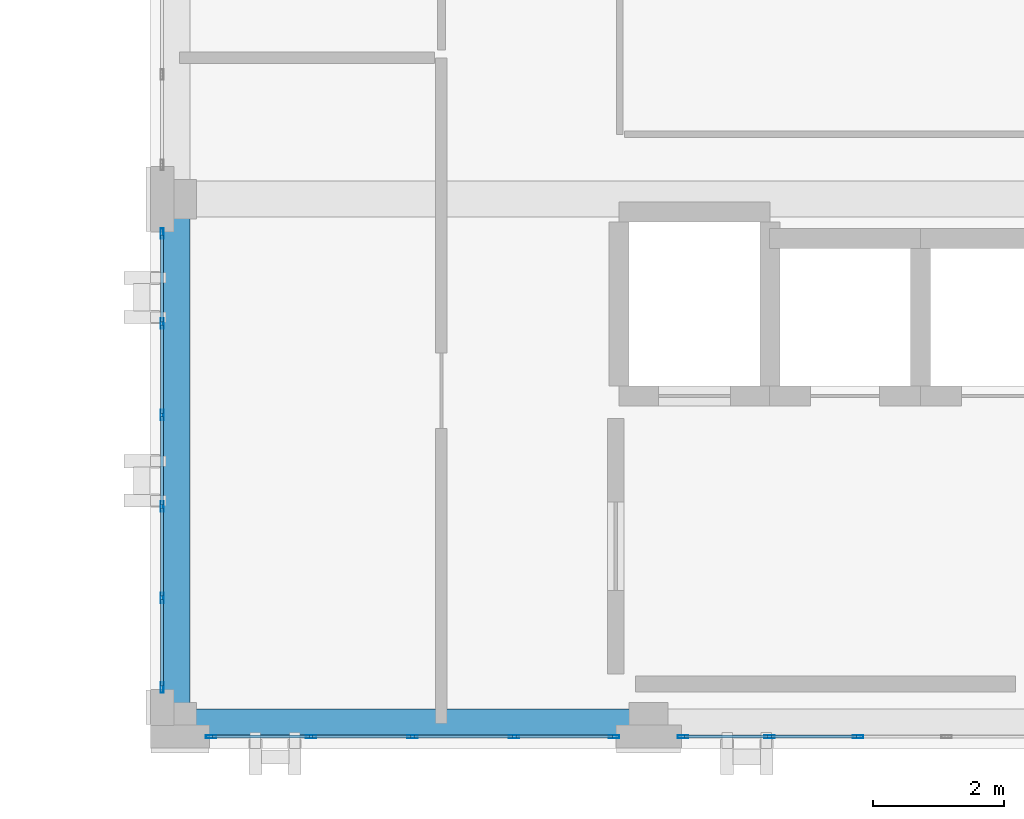
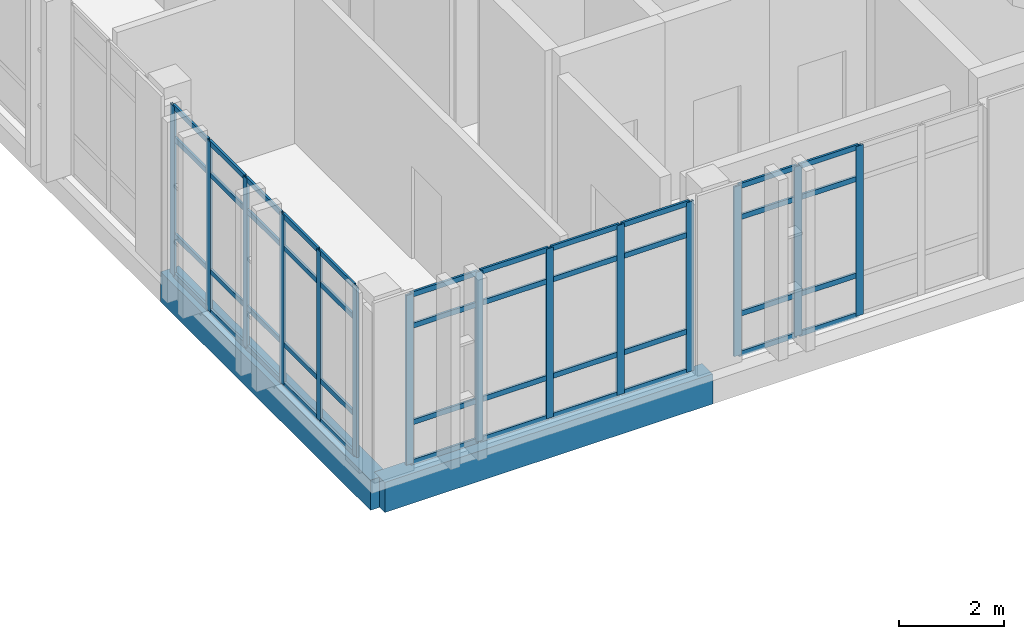
# One storey, part 20 of 48: 58 members, 2 beams, 3 elements without a shape of their own.
"""IFC4 building model written with IfcOpenShell, lengths in metres."""

from ifc_helpers import new_model, si_unit, direction, frame, origin, origin_2d, place, context, subcontext, project, spatial, rectangle, hollow_rectangle, extrude, material, layer, layer_set, material_profile, profile_set, type_object, element, aggregate, save


model = new_model("IFC4")

# Units and contexts
model_context = context("Model", 3, precision=1e-05, world=origin(), true_north=direction((0.0, 1.0)))
body_context = subcontext(model_context, "Body", "Model", "MODEL_VIEW")
ifc_project = project(units=[si_unit("LENGTHUNIT", "METRE"), si_unit("AREAUNIT", "SQUARE_METRE"), si_unit("VOLUMEUNIT", "CUBIC_METRE"), si_unit("PLANEANGLEUNIT", "RADIAN"), si_unit("MASSUNIT", "GRAM", prefix="KILO")], contexts=[model_context])

# Site, building, storey
site_placement = place(None, origin())
site = spatial("IfcSite", under=ifc_project, at=site_placement, CompositionType="ELEMENT")
building_placement = place(site_placement, origin())
building = spatial("IfcBuilding", under=site, at=building_placement, Name="Qalavern Law Courts", CompositionType="ELEMENT")
storey_placement = place(building_placement, frame((0.0, 0.0, 31.199951171875)))
storey = spatial("IfcBuildingStorey", under=building, at=storey_placement, Name="L07", CompositionType="ELEMENT", Elevation=31.199951171875)

# Curtain wall, members
ifc_material_1 = material(Name="Anodised aluminium and insulated glazing", Category="aluminium")
ifc_layer = layer(ifc_material_1, 0.159912109375)
ifc_layer_set = layer_set([ifc_layer], Name="Anodised aluminium and insulated glazing")
curtain_wall_type = type_object("IfcCurtainWallType", Name="ENV-CW-CHAMB", PredefinedType="USERDEFINED", material=ifc_layer_set)
curtain_wall_1_placement = place(storey_placement, origin())
curtain_wall_1 = element("IfcCurtainWall", 1, at=curtain_wall_1_placement, inside=storey, type_object=curtain_wall_type, Name="V4 unitised curtain wall L07 south 1", ObjectType="UNITISED CURTAIN WALL", PredefinedType="USERDEFINED")
ifc_material_2 = material(Name="Anodised aluminium", Category="aluminium")
ifc_material_profile_1 = material_profile(ifc_material_2, hollow_rectangle(XDim=0.048095703125, YDim=0.159912109375, WallThickness=0.00390625, at=origin_2d()), Name="ALU MULLION 48x160")
ifc_profile_set_1 = profile_set([ifc_material_profile_1], Name="Anodised aluminium")
member_type_1 = type_object("IfcMemberType", Name="ENV-CWM-48x160", PredefinedType="MULLION", material=ifc_profile_set_1)
member_1_placement = place(storey_placement, frame((85.1240234375, 41.197509765625, 0.0), z_axis=(0.0, 0.0, 1.0), x_axis=(0.0, 1.0, 0.0)))
member_1 = element("IfcMember", 2, at=member_1_placement, type_object=member_type_1, Name="CW-04 mullion 1", PredefinedType="MULLION", context=body_context, shape_type="SweptSolid", body=[
    extrude(hollow_rectangle(XDim=0.048095703125, YDim=0.159912109375, WallThickness=0.00390625, at=origin_2d()), origin(), (0.0, 0.0, 1.0), 3.93994140625),
])
member_2_placement = place(storey_placement, frame((86.64990234375, 41.197509765625, 0.0), z_axis=(0.0, 0.0, 1.0), x_axis=(0.0, 1.0, 0.0)))
member_2 = element("IfcMember", 3, at=member_2_placement, type_object=member_type_1, Name="CW-04 mullion 2", PredefinedType="MULLION", context=body_context, shape_type="SweptSolid", body=[
    extrude(hollow_rectangle(XDim=0.048095703125, YDim=0.159912109375, WallThickness=0.00390625, at=origin_2d()), origin(), (0.0, 0.0, 1.0), 3.93994140625),
])
member_3_placement = place(storey_placement, frame((88.199951171875, 41.197509765625, 0.0), z_axis=(0.0, 0.0, 1.0), x_axis=(0.0, 1.0, 0.0)))
member_3 = element("IfcMember", 4, at=member_3_placement, type_object=member_type_1, Name="CW-04 mullion 3", PredefinedType="MULLION", context=body_context, shape_type="SweptSolid", body=[
    extrude(hollow_rectangle(XDim=0.048095703125, YDim=0.159912109375, WallThickness=0.00390625, at=origin_2d()), origin(), (0.0, 0.0, 1.0), 3.93994140625),
])
member_4_placement = place(storey_placement, frame((89.75, 41.197509765625, 0.0), z_axis=(0.0, 0.0, 1.0), x_axis=(0.0, 1.0, 0.0)))
member_4 = element("IfcMember", 5, at=member_4_placement, type_object=member_type_1, Name="CW-04 mullion 4", PredefinedType="MULLION", context=body_context, shape_type="SweptSolid", body=[
    extrude(hollow_rectangle(XDim=0.048095703125, YDim=0.159912109375, WallThickness=0.00390625, at=origin_2d()), origin(), (0.0, 0.0, 1.0), 3.93994140625),
])
member_5_placement = place(storey_placement, frame((91.27587890625, 41.197509765625, 0.0), z_axis=(0.0, 0.0, 1.0), x_axis=(0.0, 1.0, 0.0)))
member_5 = element("IfcMember", 6, at=member_5_placement, type_object=member_type_1, Name="CW-04 mullion 5", PredefinedType="MULLION", context=body_context, shape_type="SweptSolid", body=[
    extrude(hollow_rectangle(XDim=0.048095703125, YDim=0.159912109375, WallThickness=0.00390625, at=origin_2d()), origin(), (0.0, 0.0, 1.0), 3.93994140625),
])

curtain_wall_2_placement = place(storey_placement, origin())
curtain_wall_2 = element("IfcCurtainWall", 7, at=curtain_wall_2_placement, inside=storey, type_object=curtain_wall_type, Name="V4 unitised curtain wall L07 south 2", ObjectType="UNITISED CURTAIN WALL", PredefinedType="USERDEFINED")
member_6_placement = place(storey_placement, frame((92.323974609375, 41.197509765625, 0.0), z_axis=(0.0, 0.0, 1.0), x_axis=(0.0, 1.0, 0.0)))
member_6 = element("IfcMember", 8, at=member_6_placement, type_object=member_type_1, Name="CW-04 mullion 1", PredefinedType="MULLION", context=body_context, shape_type="SweptSolid", body=[
    extrude(hollow_rectangle(XDim=0.048095703125, YDim=0.159912109375, WallThickness=0.00390625, at=origin_2d()), origin(), (0.0, 0.0, 1.0), 3.93994140625),
])
member_7_placement = place(storey_placement, frame((93.64990234375, 41.197509765625, 0.0), z_axis=(0.0, 0.0, 1.0), x_axis=(0.0, 1.0, 0.0)))
member_7 = element("IfcMember", 9, at=member_7_placement, type_object=member_type_1, Name="CW-04 mullion 2", PredefinedType="MULLION", context=body_context, shape_type="SweptSolid", body=[
    extrude(hollow_rectangle(XDim=0.048095703125, YDim=0.159912109375, WallThickness=0.00390625, at=origin_2d()), origin(), (0.0, 0.0, 1.0), 3.93994140625),
])
member_8_placement = place(storey_placement, frame((95.0, 41.197509765625, 0.0), z_axis=(0.0, 0.0, 1.0), x_axis=(0.0, 1.0, 0.0)))
member_8 = element("IfcMember", 10, at=member_8_placement, type_object=member_type_1, Name="CW-04 mullion 3", PredefinedType="MULLION", context=body_context, shape_type="SweptSolid", body=[
    extrude(hollow_rectangle(XDim=0.048095703125, YDim=0.159912109375, WallThickness=0.00390625, at=origin_2d()), origin(), (0.0, 0.0, 1.0), 3.93994140625),
])

curtain_wall_3_placement = place(storey_placement, origin())
curtain_wall_3 = element("IfcCurtainWall", 11, at=curtain_wall_3_placement, inside=storey, type_object=curtain_wall_type, Name="V4 unitised curtain wall L07 west 4", ObjectType="UNITISED CURTAIN WALL", PredefinedType="USERDEFINED")
member_9_placement = place(storey_placement, frame((84.37744140625, 48.8759765625, 0.0), z_axis=(0.0, 0.0, 1.0), x_axis=(1.0, 0.0, 0.0)))
member_9 = element("IfcMember", 12, at=member_9_placement, type_object=member_type_1, Name="CW-04 mullion 1", PredefinedType="MULLION", context=body_context, shape_type="SweptSolid", body=[
    extrude(hollow_rectangle(XDim=0.048095703125, YDim=0.159912109375, WallThickness=0.00390625, at=origin_2d()), origin(), (0.0, 0.0, 1.0), 3.93994140625),
])
member_10_placement = place(storey_placement, frame((84.37744140625, 47.50390625, 0.0), z_axis=(0.0, 0.0, 1.0), x_axis=(1.0, 0.0, 0.0)))
member_10 = element("IfcMember", 13, at=member_10_placement, type_object=member_type_1, Name="CW-04 mullion 2", PredefinedType="MULLION", context=body_context, shape_type="SweptSolid", body=[
    extrude(hollow_rectangle(XDim=0.048095703125, YDim=0.159912109375, WallThickness=0.00390625, at=origin_2d()), origin(), (0.0, 0.0, 1.0), 3.93994140625),
])
member_11_placement = place(storey_placement, frame((84.37744140625, 46.10791015625, 0.0), z_axis=(0.0, 0.0, 1.0), x_axis=(1.0, 0.0, 0.0)))
member_11 = element("IfcMember", 14, at=member_11_placement, type_object=member_type_1, Name="CW-04 mullion 3", PredefinedType="MULLION", context=body_context, shape_type="SweptSolid", body=[
    extrude(hollow_rectangle(XDim=0.048095703125, YDim=0.159912109375, WallThickness=0.00390625, at=origin_2d()), origin(), (0.0, 0.0, 1.0), 3.93994140625),
])
member_12_placement = place(storey_placement, frame((84.37744140625, 44.7119140625, 0.0), z_axis=(0.0, 0.0, 1.0), x_axis=(1.0, 0.0, 0.0)))
member_12 = element("IfcMember", 15, at=member_12_placement, type_object=member_type_1, Name="CW-04 mullion 4", PredefinedType="MULLION", context=body_context, shape_type="SweptSolid", body=[
    extrude(hollow_rectangle(XDim=0.048095703125, YDim=0.159912109375, WallThickness=0.00390625, at=origin_2d()), origin(), (0.0, 0.0, 1.0), 3.93994140625),
])
member_13_placement = place(storey_placement, frame((84.37744140625, 43.31591796875, 0.0), z_axis=(0.0, 0.0, 1.0), x_axis=(1.0, 0.0, 0.0)))
member_13 = element("IfcMember", 16, at=member_13_placement, type_object=member_type_1, Name="CW-04 mullion 5", PredefinedType="MULLION", context=body_context, shape_type="SweptSolid", body=[
    extrude(hollow_rectangle(XDim=0.048095703125, YDim=0.159912109375, WallThickness=0.00390625, at=origin_2d()), origin(), (0.0, 0.0, 1.0), 3.93994140625),
])
member_14_placement = place(storey_placement, frame((84.37744140625, 41.944091796875, 0.0), z_axis=(0.0, 0.0, 1.0), x_axis=(1.0, 0.0, 0.0)))
member_14 = element("IfcMember", 17, at=member_14_placement, type_object=member_type_1, Name="CW-04 mullion 6", PredefinedType="MULLION", context=body_context, shape_type="SweptSolid", body=[
    extrude(hollow_rectangle(XDim=0.048095703125, YDim=0.159912109375, WallThickness=0.00390625, at=origin_2d()), origin(), (0.0, 0.0, 1.0), 3.93994140625),
])

# Member
ifc_material_profile_2 = material_profile(ifc_material_2, hollow_rectangle(XDim=0.048095703125, YDim=0.1201171875, WallThickness=0.00390625, at=origin_2d()), Name="ALU TRANSOM 48x120")
ifc_profile_set_2 = profile_set([ifc_material_profile_2], Name="Anodised aluminium")
member_type_2 = type_object("IfcMemberType", Name="ENV-CWT-48x120", PredefinedType="USERDEFINED", material=ifc_profile_set_2)
member_15_placement = place(storey_placement, frame((85.14794921875, 41.197509765625, 0.024169921875), z_axis=(1.0, 0.0, 0.0), x_axis=(0.0, 1.0, 0.0)))
member_15 = element("IfcMember", 18, at=member_15_placement, type_object=member_type_2, Name="CW-04 transom 1.1", ObjectType="TRANSOM", PredefinedType="USERDEFINED", context=body_context, shape_type="SweptSolid", body=[
    extrude(hollow_rectangle(XDim=0.048095703125, YDim=0.1201171875, WallThickness=0.00390625, at=origin_2d()), origin(), (0.0, 0.0, 1.0), 1.47802734375),
])

member_16_placement = place(storey_placement, frame((85.14794921875, 41.197509765625, 0.949951171875), z_axis=(1.0, 0.0, 0.0), x_axis=(0.0, 1.0, 0.0)))
member_16 = element("IfcMember", 19, at=member_16_placement, type_object=member_type_2, Name="CW-04 transom 1.2", ObjectType="TRANSOM", PredefinedType="USERDEFINED", context=body_context, shape_type="SweptSolid", body=[
    extrude(hollow_rectangle(XDim=0.048095703125, YDim=0.1201171875, WallThickness=0.00390625, at=origin_2d()), origin(), (0.0, 0.0, 1.0), 1.47802734375),
])

member_17_placement = place(storey_placement, frame((85.14794921875, 41.197509765625, 3.18994140625), z_axis=(1.0, 0.0, 0.0), x_axis=(0.0, 1.0, 0.0)))
member_17 = element("IfcMember", 20, at=member_17_placement, type_object=member_type_2, Name="CW-04 transom 1.3", ObjectType="TRANSOM", PredefinedType="USERDEFINED", context=body_context, shape_type="SweptSolid", body=[
    extrude(hollow_rectangle(XDim=0.048095703125, YDim=0.1201171875, WallThickness=0.00390625, at=origin_2d()), origin(), (0.0, 0.0, 1.0), 1.47802734375),
])

member_18_placement = place(storey_placement, frame((85.14794921875, 41.197509765625, 3.916015625), z_axis=(1.0, 0.0, 0.0), x_axis=(0.0, 1.0, 0.0)))
member_18 = element("IfcMember", 21, at=member_18_placement, type_object=member_type_2, Name="CW-04 transom 1.4", ObjectType="TRANSOM", PredefinedType="USERDEFINED", context=body_context, shape_type="SweptSolid", body=[
    extrude(hollow_rectangle(XDim=0.048095703125, YDim=0.1201171875, WallThickness=0.00390625, at=origin_2d()), origin(), (0.0, 0.0, 1.0), 1.47802734375),
])

member_19_placement = place(storey_placement, frame((86.674072265625, 41.197509765625, 0.024169921875), z_axis=(1.0, 0.0, 0.0), x_axis=(0.0, 1.0, 0.0)))
member_19 = element("IfcMember", 22, at=member_19_placement, type_object=member_type_2, Name="CW-04 transom 2.1", ObjectType="TRANSOM", PredefinedType="USERDEFINED", context=body_context, shape_type="SweptSolid", body=[
    extrude(hollow_rectangle(XDim=0.048095703125, YDim=0.1201171875, WallThickness=0.00390625, at=origin_2d()), origin(), (0.0, 0.0, 1.0), 1.501953125),
])

member_20_placement = place(storey_placement, frame((86.674072265625, 41.197509765625, 0.949951171875), z_axis=(1.0, 0.0, 0.0), x_axis=(0.0, 1.0, 0.0)))
member_20 = element("IfcMember", 23, at=member_20_placement, type_object=member_type_2, Name="CW-04 transom 2.2", ObjectType="TRANSOM", PredefinedType="USERDEFINED", context=body_context, shape_type="SweptSolid", body=[
    extrude(hollow_rectangle(XDim=0.048095703125, YDim=0.1201171875, WallThickness=0.00390625, at=origin_2d()), origin(), (0.0, 0.0, 1.0), 1.501953125),
])

member_21_placement = place(storey_placement, frame((86.674072265625, 41.197509765625, 3.18994140625), z_axis=(1.0, 0.0, 0.0), x_axis=(0.0, 1.0, 0.0)))
member_21 = element("IfcMember", 24, at=member_21_placement, type_object=member_type_2, Name="CW-04 transom 2.3", ObjectType="TRANSOM", PredefinedType="USERDEFINED", context=body_context, shape_type="SweptSolid", body=[
    extrude(hollow_rectangle(XDim=0.048095703125, YDim=0.1201171875, WallThickness=0.00390625, at=origin_2d()), origin(), (0.0, 0.0, 1.0), 1.501953125),
])

member_22_placement = place(storey_placement, frame((86.674072265625, 41.197509765625, 3.916015625), z_axis=(1.0, 0.0, 0.0), x_axis=(0.0, 1.0, 0.0)))
member_22 = element("IfcMember", 25, at=member_22_placement, type_object=member_type_2, Name="CW-04 transom 2.4", ObjectType="TRANSOM", PredefinedType="USERDEFINED", context=body_context, shape_type="SweptSolid", body=[
    extrude(hollow_rectangle(XDim=0.048095703125, YDim=0.1201171875, WallThickness=0.00390625, at=origin_2d()), origin(), (0.0, 0.0, 1.0), 1.501953125),
])

member_23_placement = place(storey_placement, frame((88.22412109375, 41.197509765625, 0.024169921875), z_axis=(1.0, 0.0, 0.0), x_axis=(0.0, 1.0, 0.0)))
member_23 = element("IfcMember", 26, at=member_23_placement, type_object=member_type_2, Name="CW-04 transom 3.1", ObjectType="TRANSOM", PredefinedType="USERDEFINED", context=body_context, shape_type="SweptSolid", body=[
    extrude(hollow_rectangle(XDim=0.048095703125, YDim=0.1201171875, WallThickness=0.00390625, at=origin_2d()), origin(), (0.0, 0.0, 1.0), 1.501953125),
])

member_24_placement = place(storey_placement, frame((88.22412109375, 41.197509765625, 0.949951171875), z_axis=(1.0, 0.0, 0.0), x_axis=(0.0, 1.0, 0.0)))
member_24 = element("IfcMember", 27, at=member_24_placement, type_object=member_type_2, Name="CW-04 transom 3.2", ObjectType="TRANSOM", PredefinedType="USERDEFINED", context=body_context, shape_type="SweptSolid", body=[
    extrude(hollow_rectangle(XDim=0.048095703125, YDim=0.1201171875, WallThickness=0.00390625, at=origin_2d()), origin(), (0.0, 0.0, 1.0), 1.501953125),
])

member_25_placement = place(storey_placement, frame((88.22412109375, 41.197509765625, 3.18994140625), z_axis=(1.0, 0.0, 0.0), x_axis=(0.0, 1.0, 0.0)))
member_25 = element("IfcMember", 28, at=member_25_placement, type_object=member_type_2, Name="CW-04 transom 3.3", ObjectType="TRANSOM", PredefinedType="USERDEFINED", context=body_context, shape_type="SweptSolid", body=[
    extrude(hollow_rectangle(XDim=0.048095703125, YDim=0.1201171875, WallThickness=0.00390625, at=origin_2d()), origin(), (0.0, 0.0, 1.0), 1.501953125),
])

member_26_placement = place(storey_placement, frame((88.22412109375, 41.197509765625, 3.916015625), z_axis=(1.0, 0.0, 0.0), x_axis=(0.0, 1.0, 0.0)))
member_26 = element("IfcMember", 29, at=member_26_placement, type_object=member_type_2, Name="CW-04 transom 3.4", ObjectType="TRANSOM", PredefinedType="USERDEFINED", context=body_context, shape_type="SweptSolid", body=[
    extrude(hollow_rectangle(XDim=0.048095703125, YDim=0.1201171875, WallThickness=0.00390625, at=origin_2d()), origin(), (0.0, 0.0, 1.0), 1.501953125),
])

member_27_placement = place(storey_placement, frame((89.77392578125, 41.197509765625, 0.024169921875), z_axis=(1.0, 0.0, 0.0), x_axis=(0.0, 1.0, 0.0)))
member_27 = element("IfcMember", 30, at=member_27_placement, type_object=member_type_2, Name="CW-04 transom 4.1", ObjectType="TRANSOM", PredefinedType="USERDEFINED", context=body_context, shape_type="SweptSolid", body=[
    extrude(hollow_rectangle(XDim=0.048095703125, YDim=0.1201171875, WallThickness=0.00390625, at=origin_2d()), origin(), (0.0, 0.0, 1.0), 1.47802734375),
])

member_28_placement = place(storey_placement, frame((89.77392578125, 41.197509765625, 0.949951171875), z_axis=(1.0, 0.0, 0.0), x_axis=(0.0, 1.0, 0.0)))
member_28 = element("IfcMember", 31, at=member_28_placement, type_object=member_type_2, Name="CW-04 transom 4.2", ObjectType="TRANSOM", PredefinedType="USERDEFINED", context=body_context, shape_type="SweptSolid", body=[
    extrude(hollow_rectangle(XDim=0.048095703125, YDim=0.1201171875, WallThickness=0.00390625, at=origin_2d()), origin(), (0.0, 0.0, 1.0), 1.47802734375),
])

member_29_placement = place(storey_placement, frame((89.77392578125, 41.197509765625, 3.18994140625), z_axis=(1.0, 0.0, 0.0), x_axis=(0.0, 1.0, 0.0)))
member_29 = element("IfcMember", 32, at=member_29_placement, type_object=member_type_2, Name="CW-04 transom 4.3", ObjectType="TRANSOM", PredefinedType="USERDEFINED", context=body_context, shape_type="SweptSolid", body=[
    extrude(hollow_rectangle(XDim=0.048095703125, YDim=0.1201171875, WallThickness=0.00390625, at=origin_2d()), origin(), (0.0, 0.0, 1.0), 1.47802734375),
])

member_30_placement = place(storey_placement, frame((89.77392578125, 41.197509765625, 3.916015625), z_axis=(1.0, 0.0, 0.0), x_axis=(0.0, 1.0, 0.0)))
member_30 = element("IfcMember", 33, at=member_30_placement, type_object=member_type_2, Name="CW-04 transom 4.4", ObjectType="TRANSOM", PredefinedType="USERDEFINED", context=body_context, shape_type="SweptSolid", body=[
    extrude(hollow_rectangle(XDim=0.048095703125, YDim=0.1201171875, WallThickness=0.00390625, at=origin_2d()), origin(), (0.0, 0.0, 1.0), 1.47802734375),
])

aggregate(curtain_wall_1, [member_1, member_2, member_3, member_4, member_5, member_15, member_16, member_17, member_18, member_19, member_20, member_21, member_22, member_23, member_24, member_25, member_26, member_27, member_28, member_29, member_30])

member_31_placement = place(storey_placement, frame((92.347900390625, 41.197509765625, 0.024169921875), z_axis=(1.0, 0.0, 0.0), x_axis=(0.0, 1.0, 0.0)))
member_31 = element("IfcMember", 34, at=member_31_placement, type_object=member_type_2, Name="CW-04 transom 1.1", ObjectType="TRANSOM", PredefinedType="USERDEFINED", context=body_context, shape_type="SweptSolid", body=[
    extrude(hollow_rectangle(XDim=0.048095703125, YDim=0.1201171875, WallThickness=0.00390625, at=origin_2d()), origin(), (0.0, 0.0, 1.0), 1.278076171875),
])

member_32_placement = place(storey_placement, frame((92.347900390625, 41.197509765625, 0.949951171875), z_axis=(1.0, 0.0, 0.0), x_axis=(0.0, 1.0, 0.0)))
member_32 = element("IfcMember", 35, at=member_32_placement, type_object=member_type_2, Name="CW-04 transom 1.2", ObjectType="TRANSOM", PredefinedType="USERDEFINED", context=body_context, shape_type="SweptSolid", body=[
    extrude(hollow_rectangle(XDim=0.048095703125, YDim=0.1201171875, WallThickness=0.00390625, at=origin_2d()), origin(), (0.0, 0.0, 1.0), 1.278076171875),
])

member_33_placement = place(storey_placement, frame((92.347900390625, 41.197509765625, 3.18994140625), z_axis=(1.0, 0.0, 0.0), x_axis=(0.0, 1.0, 0.0)))
member_33 = element("IfcMember", 36, at=member_33_placement, type_object=member_type_2, Name="CW-04 transom 1.3", ObjectType="TRANSOM", PredefinedType="USERDEFINED", context=body_context, shape_type="SweptSolid", body=[
    extrude(hollow_rectangle(XDim=0.048095703125, YDim=0.1201171875, WallThickness=0.00390625, at=origin_2d()), origin(), (0.0, 0.0, 1.0), 1.278076171875),
])

member_34_placement = place(storey_placement, frame((92.347900390625, 41.197509765625, 3.916015625), z_axis=(1.0, 0.0, 0.0), x_axis=(0.0, 1.0, 0.0)))
member_34 = element("IfcMember", 37, at=member_34_placement, type_object=member_type_2, Name="CW-04 transom 1.4", ObjectType="TRANSOM", PredefinedType="USERDEFINED", context=body_context, shape_type="SweptSolid", body=[
    extrude(hollow_rectangle(XDim=0.048095703125, YDim=0.1201171875, WallThickness=0.00390625, at=origin_2d()), origin(), (0.0, 0.0, 1.0), 1.278076171875),
])

member_35_placement = place(storey_placement, frame((93.674072265625, 41.197509765625, 0.024169921875), z_axis=(1.0, 0.0, 0.0), x_axis=(0.0, 1.0, 0.0)))
member_35 = element("IfcMember", 38, at=member_35_placement, type_object=member_type_2, Name="CW-04 transom 2.1", ObjectType="TRANSOM", PredefinedType="USERDEFINED", context=body_context, shape_type="SweptSolid", body=[
    extrude(hollow_rectangle(XDim=0.048095703125, YDim=0.1201171875, WallThickness=0.00390625, at=origin_2d()), origin(), (0.0, 0.0, 1.0), 1.302001953125),
])

member_36_placement = place(storey_placement, frame((93.674072265625, 41.197509765625, 0.949951171875), z_axis=(1.0, 0.0, 0.0), x_axis=(0.0, 1.0, 0.0)))
member_36 = element("IfcMember", 39, at=member_36_placement, type_object=member_type_2, Name="CW-04 transom 2.2", ObjectType="TRANSOM", PredefinedType="USERDEFINED", context=body_context, shape_type="SweptSolid", body=[
    extrude(hollow_rectangle(XDim=0.048095703125, YDim=0.1201171875, WallThickness=0.00390625, at=origin_2d()), origin(), (0.0, 0.0, 1.0), 1.302001953125),
])

member_37_placement = place(storey_placement, frame((93.674072265625, 41.197509765625, 3.18994140625), z_axis=(1.0, 0.0, 0.0), x_axis=(0.0, 1.0, 0.0)))
member_37 = element("IfcMember", 40, at=member_37_placement, type_object=member_type_2, Name="CW-04 transom 2.3", ObjectType="TRANSOM", PredefinedType="USERDEFINED", context=body_context, shape_type="SweptSolid", body=[
    extrude(hollow_rectangle(XDim=0.048095703125, YDim=0.1201171875, WallThickness=0.00390625, at=origin_2d()), origin(), (0.0, 0.0, 1.0), 1.302001953125),
])

member_38_placement = place(storey_placement, frame((93.674072265625, 41.197509765625, 3.916015625), z_axis=(1.0, 0.0, 0.0), x_axis=(0.0, 1.0, 0.0)))
member_38 = element("IfcMember", 41, at=member_38_placement, type_object=member_type_2, Name="CW-04 transom 2.4", ObjectType="TRANSOM", PredefinedType="USERDEFINED", context=body_context, shape_type="SweptSolid", body=[
    extrude(hollow_rectangle(XDim=0.048095703125, YDim=0.1201171875, WallThickness=0.00390625, at=origin_2d()), origin(), (0.0, 0.0, 1.0), 1.302001953125),
])

aggregate(curtain_wall_2, [member_6, member_7, member_8, member_31, member_32, member_33, member_34, member_35, member_36, member_37, member_38])

member_39_placement = place(storey_placement, frame((84.37744140625, 48.85205078125, 0.024169921875), z_axis=(0.0, -1.0, 0.0), x_axis=(1.0, 0.0, 0.0)))
member_39 = element("IfcMember", 42, at=member_39_placement, type_object=member_type_2, Name="CW-04 transom 1.1", ObjectType="TRANSOM", PredefinedType="USERDEFINED", context=body_context, shape_type="SweptSolid", body=[
    extrude(hollow_rectangle(XDim=0.048095703125, YDim=0.1201171875, WallThickness=0.00390625, at=origin_2d()), origin(), (0.0, 0.0, 1.0), 1.323974609375),
])

member_40_placement = place(storey_placement, frame((84.37744140625, 48.85205078125, 0.949951171875), z_axis=(0.0, -1.0, 0.0), x_axis=(1.0, 0.0, 0.0)))
member_40 = element("IfcMember", 43, at=member_40_placement, type_object=member_type_2, Name="CW-04 transom 1.2", ObjectType="TRANSOM", PredefinedType="USERDEFINED", context=body_context, shape_type="SweptSolid", body=[
    extrude(hollow_rectangle(XDim=0.048095703125, YDim=0.1201171875, WallThickness=0.00390625, at=origin_2d()), origin(), (0.0, 0.0, 1.0), 1.323974609375),
])

member_41_placement = place(storey_placement, frame((84.37744140625, 48.85205078125, 3.18994140625), z_axis=(0.0, -1.0, 0.0), x_axis=(1.0, 0.0, 0.0)))
member_41 = element("IfcMember", 44, at=member_41_placement, type_object=member_type_2, Name="CW-04 transom 1.3", ObjectType="TRANSOM", PredefinedType="USERDEFINED", context=body_context, shape_type="SweptSolid", body=[
    extrude(hollow_rectangle(XDim=0.048095703125, YDim=0.1201171875, WallThickness=0.00390625, at=origin_2d()), origin(), (0.0, 0.0, 1.0), 1.323974609375),
])

member_42_placement = place(storey_placement, frame((84.37744140625, 48.85205078125, 3.916015625), z_axis=(0.0, -1.0, 0.0), x_axis=(1.0, 0.0, 0.0)))
member_42 = element("IfcMember", 45, at=member_42_placement, type_object=member_type_2, Name="CW-04 transom 1.4", ObjectType="TRANSOM", PredefinedType="USERDEFINED", context=body_context, shape_type="SweptSolid", body=[
    extrude(hollow_rectangle(XDim=0.048095703125, YDim=0.1201171875, WallThickness=0.00390625, at=origin_2d()), origin(), (0.0, 0.0, 1.0), 1.323974609375),
])

member_43_placement = place(storey_placement, frame((84.37744140625, 47.47998046875, 0.024169921875), z_axis=(0.0, -1.0, 0.0), x_axis=(1.0, 0.0, 0.0)))
member_43 = element("IfcMember", 46, at=member_43_placement, type_object=member_type_2, Name="CW-04 transom 2.1", ObjectType="TRANSOM", PredefinedType="USERDEFINED", context=body_context, shape_type="SweptSolid", body=[
    extrude(hollow_rectangle(XDim=0.048095703125, YDim=0.1201171875, WallThickness=0.00390625, at=origin_2d()), origin(), (0.0, 0.0, 1.0), 1.347900390625),
])

member_44_placement = place(storey_placement, frame((84.37744140625, 47.47998046875, 0.949951171875), z_axis=(0.0, -1.0, 0.0), x_axis=(1.0, 0.0, 0.0)))
member_44 = element("IfcMember", 47, at=member_44_placement, type_object=member_type_2, Name="CW-04 transom 2.2", ObjectType="TRANSOM", PredefinedType="USERDEFINED", context=body_context, shape_type="SweptSolid", body=[
    extrude(hollow_rectangle(XDim=0.048095703125, YDim=0.1201171875, WallThickness=0.00390625, at=origin_2d()), origin(), (0.0, 0.0, 1.0), 1.347900390625),
])

member_45_placement = place(storey_placement, frame((84.37744140625, 47.47998046875, 3.18994140625), z_axis=(0.0, -1.0, 0.0), x_axis=(1.0, 0.0, 0.0)))
member_45 = element("IfcMember", 48, at=member_45_placement, type_object=member_type_2, Name="CW-04 transom 2.3", ObjectType="TRANSOM", PredefinedType="USERDEFINED", context=body_context, shape_type="SweptSolid", body=[
    extrude(hollow_rectangle(XDim=0.048095703125, YDim=0.1201171875, WallThickness=0.00390625, at=origin_2d()), origin(), (0.0, 0.0, 1.0), 1.347900390625),
])

member_46_placement = place(storey_placement, frame((84.37744140625, 47.47998046875, 3.916015625), z_axis=(0.0, -1.0, 0.0), x_axis=(1.0, 0.0, 0.0)))
member_46 = element("IfcMember", 49, at=member_46_placement, type_object=member_type_2, Name="CW-04 transom 2.4", ObjectType="TRANSOM", PredefinedType="USERDEFINED", context=body_context, shape_type="SweptSolid", body=[
    extrude(hollow_rectangle(XDim=0.048095703125, YDim=0.1201171875, WallThickness=0.00390625, at=origin_2d()), origin(), (0.0, 0.0, 1.0), 1.347900390625),
])

member_47_placement = place(storey_placement, frame((84.37744140625, 46.083984375, 0.024169921875), z_axis=(0.0, -1.0, 0.0), x_axis=(1.0, 0.0, 0.0)))
member_47 = element("IfcMember", 50, at=member_47_placement, type_object=member_type_2, Name="CW-04 transom 3.1", ObjectType="TRANSOM", PredefinedType="USERDEFINED", context=body_context, shape_type="SweptSolid", body=[
    extrude(hollow_rectangle(XDim=0.048095703125, YDim=0.1201171875, WallThickness=0.00390625, at=origin_2d()), origin(), (0.0, 0.0, 1.0), 1.347900390625),
])

member_48_placement = place(storey_placement, frame((84.37744140625, 46.083984375, 0.949951171875), z_axis=(0.0, -1.0, 0.0), x_axis=(1.0, 0.0, 0.0)))
member_48 = element("IfcMember", 51, at=member_48_placement, type_object=member_type_2, Name="CW-04 transom 3.2", ObjectType="TRANSOM", PredefinedType="USERDEFINED", context=body_context, shape_type="SweptSolid", body=[
    extrude(hollow_rectangle(XDim=0.048095703125, YDim=0.1201171875, WallThickness=0.00390625, at=origin_2d()), origin(), (0.0, 0.0, 1.0), 1.347900390625),
])

member_49_placement = place(storey_placement, frame((84.37744140625, 46.083984375, 3.18994140625), z_axis=(0.0, -1.0, 0.0), x_axis=(1.0, 0.0, 0.0)))
member_49 = element("IfcMember", 52, at=member_49_placement, type_object=member_type_2, Name="CW-04 transom 3.3", ObjectType="TRANSOM", PredefinedType="USERDEFINED", context=body_context, shape_type="SweptSolid", body=[
    extrude(hollow_rectangle(XDim=0.048095703125, YDim=0.1201171875, WallThickness=0.00390625, at=origin_2d()), origin(), (0.0, 0.0, 1.0), 1.347900390625),
])

member_50_placement = place(storey_placement, frame((84.37744140625, 46.083984375, 3.916015625), z_axis=(0.0, -1.0, 0.0), x_axis=(1.0, 0.0, 0.0)))
member_50 = element("IfcMember", 53, at=member_50_placement, type_object=member_type_2, Name="CW-04 transom 3.4", ObjectType="TRANSOM", PredefinedType="USERDEFINED", context=body_context, shape_type="SweptSolid", body=[
    extrude(hollow_rectangle(XDim=0.048095703125, YDim=0.1201171875, WallThickness=0.00390625, at=origin_2d()), origin(), (0.0, 0.0, 1.0), 1.347900390625),
])

member_51_placement = place(storey_placement, frame((84.37744140625, 44.68798828125, 0.024169921875), z_axis=(0.0, -1.0, 0.0), x_axis=(1.0, 0.0, 0.0)))
member_51 = element("IfcMember", 54, at=member_51_placement, type_object=member_type_2, Name="CW-04 transom 4.1", ObjectType="TRANSOM", PredefinedType="USERDEFINED", context=body_context, shape_type="SweptSolid", body=[
    extrude(hollow_rectangle(XDim=0.048095703125, YDim=0.1201171875, WallThickness=0.00390625, at=origin_2d()), origin(), (0.0, 0.0, 1.0), 1.347900390625),
])

member_52_placement = place(storey_placement, frame((84.37744140625, 44.68798828125, 0.949951171875), z_axis=(0.0, -1.0, 0.0), x_axis=(1.0, 0.0, 0.0)))
member_52 = element("IfcMember", 55, at=member_52_placement, type_object=member_type_2, Name="CW-04 transom 4.2", ObjectType="TRANSOM", PredefinedType="USERDEFINED", context=body_context, shape_type="SweptSolid", body=[
    extrude(hollow_rectangle(XDim=0.048095703125, YDim=0.1201171875, WallThickness=0.00390625, at=origin_2d()), origin(), (0.0, 0.0, 1.0), 1.347900390625),
])

member_53_placement = place(storey_placement, frame((84.37744140625, 44.68798828125, 3.18994140625), z_axis=(0.0, -1.0, 0.0), x_axis=(1.0, 0.0, 0.0)))
member_53 = element("IfcMember", 56, at=member_53_placement, type_object=member_type_2, Name="CW-04 transom 4.3", ObjectType="TRANSOM", PredefinedType="USERDEFINED", context=body_context, shape_type="SweptSolid", body=[
    extrude(hollow_rectangle(XDim=0.048095703125, YDim=0.1201171875, WallThickness=0.00390625, at=origin_2d()), origin(), (0.0, 0.0, 1.0), 1.347900390625),
])

member_54_placement = place(storey_placement, frame((84.37744140625, 44.68798828125, 3.916015625), z_axis=(0.0, -1.0, 0.0), x_axis=(1.0, 0.0, 0.0)))
member_54 = element("IfcMember", 57, at=member_54_placement, type_object=member_type_2, Name="CW-04 transom 4.4", ObjectType="TRANSOM", PredefinedType="USERDEFINED", context=body_context, shape_type="SweptSolid", body=[
    extrude(hollow_rectangle(XDim=0.048095703125, YDim=0.1201171875, WallThickness=0.00390625, at=origin_2d()), origin(), (0.0, 0.0, 1.0), 1.347900390625),
])

member_55_placement = place(storey_placement, frame((84.37744140625, 43.2919921875, 0.024169921875), z_axis=(0.0, -1.0, 0.0), x_axis=(1.0, 0.0, 0.0)))
member_55 = element("IfcMember", 58, at=member_55_placement, type_object=member_type_2, Name="CW-04 transom 5.1", ObjectType="TRANSOM", PredefinedType="USERDEFINED", context=body_context, shape_type="SweptSolid", body=[
    extrude(hollow_rectangle(XDim=0.048095703125, YDim=0.1201171875, WallThickness=0.00390625, at=origin_2d()), origin(), (0.0, 0.0, 1.0), 1.323974609375),
])

member_56_placement = place(storey_placement, frame((84.37744140625, 43.2919921875, 0.949951171875), z_axis=(0.0, -1.0, 0.0), x_axis=(1.0, 0.0, 0.0)))
member_56 = element("IfcMember", 59, at=member_56_placement, type_object=member_type_2, Name="CW-04 transom 5.2", ObjectType="TRANSOM", PredefinedType="USERDEFINED", context=body_context, shape_type="SweptSolid", body=[
    extrude(hollow_rectangle(XDim=0.048095703125, YDim=0.1201171875, WallThickness=0.00390625, at=origin_2d()), origin(), (0.0, 0.0, 1.0), 1.323974609375),
])

member_57_placement = place(storey_placement, frame((84.37744140625, 43.2919921875, 3.18994140625), z_axis=(0.0, -1.0, 0.0), x_axis=(1.0, 0.0, 0.0)))
member_57 = element("IfcMember", 60, at=member_57_placement, type_object=member_type_2, Name="CW-04 transom 5.3", ObjectType="TRANSOM", PredefinedType="USERDEFINED", context=body_context, shape_type="SweptSolid", body=[
    extrude(hollow_rectangle(XDim=0.048095703125, YDim=0.1201171875, WallThickness=0.00390625, at=origin_2d()), origin(), (0.0, 0.0, 1.0), 1.323974609375),
])

member_58_placement = place(storey_placement, frame((84.37744140625, 43.2919921875, 3.916015625), z_axis=(0.0, -1.0, 0.0), x_axis=(1.0, 0.0, 0.0)))
member_58 = element("IfcMember", 61, at=member_58_placement, type_object=member_type_2, Name="CW-04 transom 5.4", ObjectType="TRANSOM", PredefinedType="USERDEFINED", context=body_context, shape_type="SweptSolid", body=[
    extrude(hollow_rectangle(XDim=0.048095703125, YDim=0.1201171875, WallThickness=0.00390625, at=origin_2d()), origin(), (0.0, 0.0, 1.0), 1.323974609375),
])

aggregate(curtain_wall_3, [member_9, member_10, member_11, member_12, member_13, member_14, member_39, member_40, member_41, member_42, member_43, member_44, member_45, member_46, member_47, member_48, member_49, member_50, member_51, member_52, member_53, member_54, member_55, member_56, member_57, member_58])

# Beams
ifc_material_3 = material(Name="Concrete C40/50", Category="concrete")
ifc_material_profile_3 = material_profile(ifc_material_3, rectangle(XDim=0.39990234375, YDim=0.699951171875, at=origin_2d()), Name="RC 400x700")
ifc_profile_set_3 = profile_set([ifc_material_profile_3], Name="Concrete C40/50")
beam_type = type_object("IfcBeamType", Name="STR-SP-RC400x700", PredefinedType="SPANDREL", material=ifc_profile_set_3)
beam_1_placement = place(storey_placement, frame((84.60009765625, 41.419921875, -0.614990234375), z_axis=(1.0, 0.0, 0.0), x_axis=(0.0, 1.0, 0.0)))
element("IfcBeam", 62, at=beam_1_placement, inside=storey, type_object=beam_type, Name="V4 X-beam 1-1 L07", PredefinedType="SPANDREL", context=body_context, shape_type="SweptSolid", body=[
    extrude(rectangle(XDim=0.39990234375, YDim=0.699951171875, at=origin_2d()), origin(), (0.0, 0.0, 1.0), 7.199951171875),
])
beam_2_placement = place(storey_placement, frame((84.60009765625, 41.419921875, -0.614990234375), z_axis=(0.0, 1.0, 0.0), x_axis=(-1.0, 0.0, 0.0)))
element("IfcBeam", 63, at=beam_2_placement, inside=storey, type_object=beam_type, Name="V4 Y-beam 1-1 L07", PredefinedType="SPANDREL", context=body_context, shape_type="SweptSolid", body=[
    extrude(rectangle(XDim=0.39990234375, YDim=0.699951171875, at=origin_2d()), origin(), (0.0, 0.0, 1.0), 7.97998046875),
])

save(model, "model.ifc")
